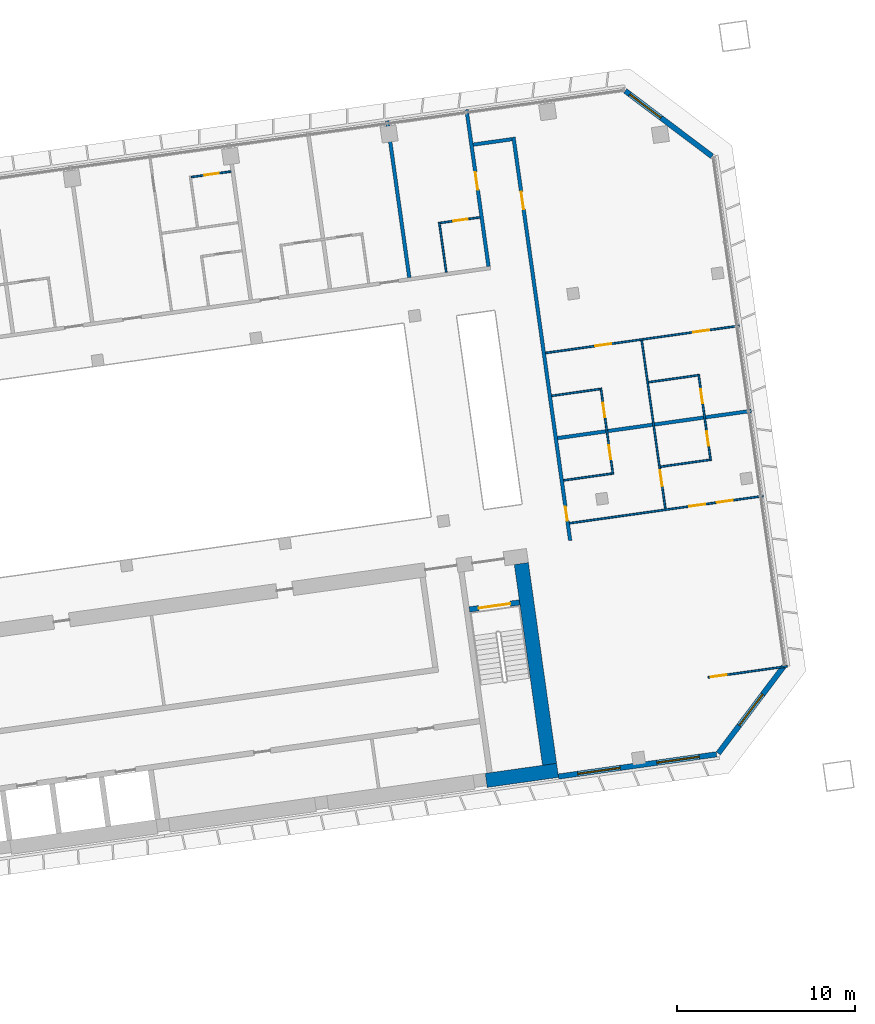
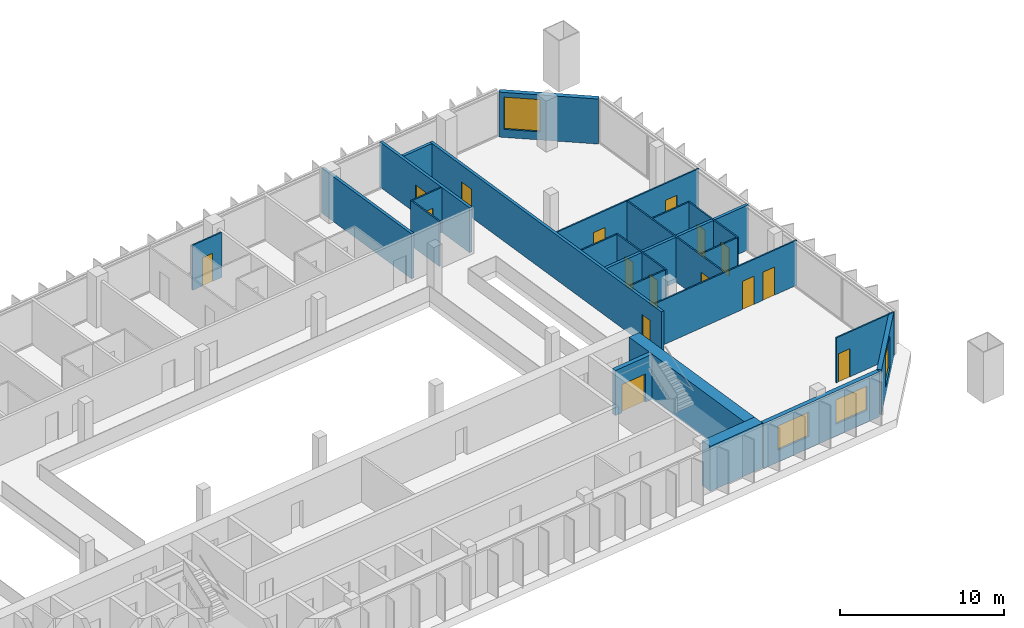
# One storey, part 21 of 25: 24 walls, 16 doors, 4 windows, 20 openings.
"""IFC4 building model written with IfcOpenShell, lengths in metres."""

import ifcopenshell
import ifcopenshell.guid

model = None  # the IFC model being written
_history = None  # IfcOwnerHistory: only IFC2X3 demands one
_inside = {}  # id of a spatial element -> (the spatial element, [elements in it])
_under = {}  # id of a project, library or spatial element -> (it, [spatial elements below it])
_declared = {}  # id of a project -> (the project, [libraries it declares])
_typed = {}  # id of a type object -> (the type object, [elements of that type])
_made_of = {}  # id of a material, layer set ... -> (it, [elements and type objects made of it])


def new_model(schema):
    """Start an empty IFC model of exactly this schema.

    Asked for "IFC4X3", IfcOpenShell would pick the latest addendum, in which some entities
    have other attributes; the version numbers below select the first issue.
    IFC2X3 requires an IfcOwnerHistory on every rooted entity: one is made here for all.
    """
    global model, _history
    if schema == "IFC4X3":
        model = ifcopenshell.file(schema_version=(4, 3, 0, 0))
    else:
        model = ifcopenshell.file(schema=schema)
    _inside.clear()
    _under.clear()
    _declared.clear()
    _typed.clear()
    _made_of.clear()
    _history = None
    if model.schema == "IFC2X3":
        org = make("IfcOrganization", Name="unknown")
        user = make(
            "IfcPersonAndOrganization",
            ThePerson=make("IfcPerson", FamilyName="unknown"),
            TheOrganization=org,
        )
        app = make(
            "IfcApplication",
            ApplicationDeveloper=org,
            Version="unknown",
            ApplicationFullName="unknown",
            ApplicationIdentifier="unknown",
        )
        _history = make(
            "IfcOwnerHistory",
            OwningUser=user,
            OwningApplication=app,
            ChangeAction="ADDED",
            CreationDate=0,
        )
    return model


def make(cls, **values):
    """One entity of the class cls with the attributes given. An attribute that is None is left unset."""
    return model.create_entity(
        cls, **{name: value for name, value in values.items() if value is not None}
    )


def rooted(cls, **values):
    """An entity with a GlobalId (a new one), such as an element, a storey or a relation."""
    return make(cls, GlobalId=ifcopenshell.guid.new(), OwnerHistory=_history, **values)


def si_unit(unit_type, name, prefix=None):
    """IfcSIUnit, for example si_unit("LENGTHUNIT", "METRE", prefix="MILLI")."""
    return make("IfcSIUnit", UnitType=unit_type, Prefix=prefix, Name=name)


def assignment(units):
    """IfcUnitAssignment: the units of a project."""
    return None if units is None else make("IfcUnitAssignment", Units=units)


def point(xyz):
    """IfcCartesianPoint."""
    return None if xyz is None else make("IfcCartesianPoint", Coordinates=xyz)


def direction(xyz):
    """IfcDirection."""
    return None if xyz is None else make("IfcDirection", DirectionRatios=xyz)


def frame(location, z_axis=None, x_axis=None):
    """IfcAxis2Placement3D, a coordinate frame: its origin and axes. An axis left out is left unset."""
    return make(
        "IfcAxis2Placement3D",
        Location=point(location),
        Axis=direction(z_axis),
        RefDirection=direction(x_axis),
    )


def frame_2d(location, x_axis=None):
    """IfcAxis2Placement2D, a coordinate frame in the plane: its origin and x axis."""
    return make(
        "IfcAxis2Placement2D", Location=point(location), RefDirection=direction(x_axis)
    )


def origin():
    """The frame at (0, 0, 0) with its axes left unset."""
    return frame((0.0, 0.0, 0.0))


def place(relative_to, where):
    """IfcLocalPlacement: puts the frame where relative to a parent placement (None: the world)."""
    return make(
        "IfcLocalPlacement", PlacementRelTo=relative_to, RelativePlacement=where
    )


def context(
    kind, dimensions, precision=None, world=None, true_north=None, identifier=None
):
    """IfcGeometricRepresentationContext, for example the 3D "Model" context."""
    return make(
        "IfcGeometricRepresentationContext",
        ContextIdentifier=identifier,
        ContextType=kind,
        CoordinateSpaceDimension=dimensions,
        Precision=precision,
        WorldCoordinateSystem=world,
        TrueNorth=true_north,
    )


def subcontext(parent, identifier, kind, view, scale=None):
    """IfcGeometricRepresentationSubContext, for example "Body" below "Model"."""
    return make(
        "IfcGeometricRepresentationSubContext",
        ContextIdentifier=identifier,
        ContextType=kind,
        ParentContext=parent,
        TargetScale=scale,
        TargetView=view,
    )


def project(units=None, contexts=None):
    """IfcProject with its units and contexts."""
    return rooted(
        "IfcProject",
        Name="project",
        RepresentationContexts=contexts,
        UnitsInContext=assignment(units),
    )


def spatial(cls, under=None, at=None, **own):
    """A site, building, storey or space (cls), placed at a placement, below another one or the project."""
    s = rooted(cls, ObjectPlacement=at, **own)
    if under is not None:
        _under.setdefault(under.id(), (under, []))[1].append(s)
    return s


def profile(cls, at=None, kind="AREA", **sizes):
    """A parametric profile (cls). Its sizes go by their IFC names, for example OverallWidth=200.0."""
    return make(cls, ProfileType=kind, Position=at, **sizes)


def rectangle(**sizes):
    """IfcRectangleProfileDef."""
    return profile("IfcRectangleProfileDef", **sizes)


def extrude(swept, where, along, depth):
    """IfcExtrudedAreaSolid: the profile swept, set in the frame where, extruded along a direction by depth."""
    return make(
        "IfcExtrudedAreaSolid",
        SweptArea=swept,
        Position=where,
        ExtrudedDirection=direction(along),
        Depth=depth,
    )


def shape(context_of_items, identifier, shape_type, items):
    """IfcShapeRepresentation: the items that make up one representation, for example the "Body"."""
    return make(
        "IfcShapeRepresentation",
        ContextOfItems=context_of_items,
        RepresentationIdentifier=identifier,
        RepresentationType=shape_type,
        Items=items,
    )


def material(Name=None, Category=None):
    """IfcMaterial."""
    return make("IfcMaterial", Name=Name, Category=Category)


def layer(
    of_material, thickness, ventilated=None, Name=None, Category=None, Priority=None
):
    """IfcMaterialLayer: one layer of a wall or slab, of a material (None: an air gap)."""
    return make(
        "IfcMaterialLayer",
        Material=of_material,
        LayerThickness=thickness,
        IsVentilated=ventilated,
        Name=Name,
        Category=Category,
        Priority=Priority,
    )


def layer_set(layers, Name=None):
    """IfcMaterialLayerSet."""
    return make("IfcMaterialLayerSet", MaterialLayers=layers, LayerSetName=Name)


def made_of(thing, what):
    """Note that an element or type object is made of a material, layer set ...; save() writes the relation."""
    if what is not None:
        _made_of.setdefault(what.id(), (what, []))[1].append(thing)
    return thing


def type_object(cls, material=None, **own):
    """A type object (cls), such as IfcWallType, which elements share."""
    return made_of(rooted(cls, **own), material)


def element(
    cls,
    number,
    at=None,
    inside=None,
    cuts=None,
    type_object=None,
    material=None,
    context=None,
    identifier="Body",
    shape_type=None,
    held_by="IfcProductDefinitionShape",
    body=None,
    shapes=None,
    **own,
):
    """One element of the class cls, such as IfcWall. Its Tag is "e" and its number.

    at: its placement. inside: the storey or other place that contains it. cuts: it is an
    opening in that element (IfcRelVoidsElement). A single representation is given by context,
    identifier, shape_type and body (its items); several are given by shapes. held_by: the class
    of the entity that holds the representations. save() writes the other relations.
    """
    e = rooted(cls, Tag="e%d" % number, ObjectPlacement=at, **own)
    if body is not None:
        shapes = [shape(context, identifier, shape_type, body)]
    if shapes is not None:
        e.Representation = make(held_by, Representations=shapes)
    if inside is not None:
        _inside.setdefault(inside.id(), (inside, []))[1].append(e)
    if cuts is not None:
        rooted(
            "IfcRelVoidsElement", RelatingBuildingElement=cuts, RelatedOpeningElement=e
        )
    if type_object is not None:
        _typed.setdefault(type_object.id(), (type_object, []))[1].append(e)
    return made_of(e, material)


def fill(opening, filler):
    """IfcRelFillsElement: the door or window that sits in an opening."""
    return rooted(
        "IfcRelFillsElement",
        RelatingOpeningElement=opening,
        RelatedBuildingElement=filler,
    )


def aggregate(whole, parts):
    """IfcRelAggregates: a whole, such as a stair, and the parts it consists of."""
    return rooted("IfcRelAggregates", RelatingObject=whole, RelatedObjects=parts)


def save(model, path):
    """Write the relations noted so far, then the file.

    IfcRelAggregates (storeys below a building ...), IfcRelContainedInSpatialStructure (elements
    in a storey), IfcRelDefinesByType, IfcRelAssociatesMaterial and IfcRelDeclares: one each for
    every whole, place, type object, material and project.
    """
    for whole, parts in _under.values():
        aggregate(whole, parts)
    for where, things in _inside.values():
        rooted(
            "IfcRelContainedInSpatialStructure",
            RelatedElements=things,
            RelatingStructure=where,
        )
    for kind, things in _typed.values():
        rooted("IfcRelDefinesByType", RelatedObjects=things, RelatingType=kind)
    for what, things in _made_of.values():
        rooted("IfcRelAssociatesMaterial", RelatedObjects=things, RelatingMaterial=what)
    for by, libraries in _declared.values():
        rooted("IfcRelDeclares", RelatingContext=by, RelatedDefinitions=libraries)
    model.write(path)


model = new_model("IFC4")

# Units and contexts
model_context = context("Model", 3, precision=1e-05, world=origin(), true_north=direction((0.0, 1.0)))
body_context = subcontext(model_context, "Body", "Model", "MODEL_VIEW")
ifc_project = project(units=[si_unit("LENGTHUNIT", "METRE"), si_unit("AREAUNIT", "SQUARE_METRE"), si_unit("VOLUMEUNIT", "CUBIC_METRE"), si_unit("PLANEANGLEUNIT", "RADIAN"), si_unit("MASSUNIT", "GRAM", prefix="KILO")], contexts=[model_context])

# Site, building, storey
site_placement = place(None, origin())
site = spatial("IfcSite", under=ifc_project, at=site_placement, CompositionType="ELEMENT")
building_placement = place(site_placement, origin())
building = spatial("IfcBuilding", under=site, at=building_placement, Name="Mirante Cascada Hotel Towers", CompositionType="ELEMENT")
storey_placement = place(building_placement, frame((0.0, 0.0, 102.5)))
storey = spatial("IfcBuildingStorey", under=building, at=storey_placement, Name="L22", CompositionType="ELEMENT", Elevation=102.5)

# Walls
ifc_material_1 = material(Name="Fire-rated plasterboard on metal studs")
ifc_layer_1 = layer(ifc_material_1, 0.2)
ifc_layer_set_1 = layer_set([ifc_layer_1], Name="Compartment wall 200 EI 120")
wall_type_1 = type_object("IfcWallType", Name="Compartment wall 200 EI 120", PredefinedType="PARTITIONING", material=ifc_layer_set_1)
wall_1_placement = place(storey_placement, frame((90.4064, 6.4896, 0.0), z_axis=(0.0, 0.0, 1.0), x_axis=(0.990268, 0.1391733, 0.0)))
element("IfcWall", 1, at=wall_1_placement, inside=storey, type_object=wall_type_1, Name="Wall 2-L22-11", PredefinedType="PARTITIONING", context=body_context, shape_type="SweptSolid", body=[
    extrude(rectangle(XDim=11.0, YDim=0.2, at=frame_2d((5.5, 0.0))), origin(), (0.0, 0.0, 1.0), 3.35),
])
wall_2_placement = place(storey_placement, frame((85.6638, 22.9901, 0.0), z_axis=(0.0, 0.0, 1.0), x_axis=(0.990267, 0.139181, 0.0)))
element("IfcWall", 2, at=wall_2_placement, inside=storey, type_object=wall_type_1, Name="Wall 2-L22-29", PredefinedType="PARTITIONING", context=body_context, shape_type="SweptSolid", body=[
    extrude(rectangle(XDim=2.2, YDim=0.2, at=frame_2d((1.1, 0.0))), origin(), (0.0, 0.0, 1.0), 3.35),
])
wall_3_placement = place(storey_placement, frame((82.0688, 15.5171, 0.0), z_axis=(0.0, 0.0, 1.0), x_axis=(-0.13917, 0.9902685, 0.0)))
element("IfcWall", 3, at=wall_3_placement, inside=storey, type_object=wall_type_1, Name="Wall 2-L22-57", PredefinedType="PARTITIONING", context=body_context, shape_type="SweptSolid", body=[
    extrude(rectangle(XDim=8.8999, YDim=0.2, at=frame_2d((4.45, 0.0))), origin(), (0.0, 0.0, 1.0), 3.35),
])

# Wall, opening, door
wall_4_placement = place(storey_placement, frame((86.525, 16.1433, 0.0), z_axis=(0.0, 0.0, 1.0), x_axis=(-0.1391684, 0.9902687, 0.0)))
wall_4 = element("IfcWall", 4, at=wall_4_placement, inside=storey, type_object=wall_type_1, Name="Wall 2-L22-59", PredefinedType="PARTITIONING", context=body_context, shape_type="SweptSolid", body=[
    extrude(rectangle(XDim=8.9, YDim=0.2, at=frame_2d((4.45, 0.0))), origin(), (0.0, 0.0, 1.0), 3.35),
])
opening_1_placement = place(wall_4_placement, frame((4.35, 0.0, 0.0)))
opening_1 = element("IfcOpeningElement", 5, at=opening_1_placement, cuts=wall_4, Name="Opening D2-L22-36", PredefinedType="OPENING", context=body_context, shape_type="SweptSolid", body=[
    extrude(rectangle(XDim=1.0, YDim=2.1, at=frame_2d((0.5, 1.05))), frame((0.0, 0.1, 0.0), z_axis=(0.0, -1.0, 0.0), x_axis=(1.0, 0.0, 0.0)), (0.0, 0.0, 1.0), 0.2),
])
ifc_material_2 = material(Name="Fire-rated timber door leaf", Category="wood")
door_type_1 = type_object("IfcDoorType", Name="Entrance door DG1 1000x2100 EI 60", OperationType="SINGLE_SWING_LEFT", PredefinedType="DOOR", material=ifc_material_2)
door_1_placement = place(opening_1_placement, origin())
door_1 = element("IfcDoor", 6, at=door_1_placement, inside=storey, type_object=door_type_1, Name="Door D2-L22-36", OperationType="SINGLE_SWING_LEFT", OverallHeight=2.1, OverallWidth=1.0, PredefinedType="DOOR", context=body_context, shape_type="SweptSolid", body=[
    extrude(rectangle(XDim=1.0, YDim=2.1, at=frame_2d((0.5, 1.05))), frame((0.0, 0.025, 0.0), z_axis=(0.0, -1.0, 0.0), x_axis=(1.0, 0.0, 0.0)), (0.0, 0.0, 1.0), 0.05),
])
fill(opening_1, door_1)

# Wall, openings, doors
wall_5_placement = place(storey_placement, frame((87.9275, 23.4092, 0.0), z_axis=(0.0, 0.0, 1.0), x_axis=(0.1391706, -0.9902684, 0.0)))
wall_5 = element("IfcWall", 7, at=wall_5_placement, inside=storey, type_object=wall_type_1, Name="Wall 2-L22-60", PredefinedType="PARTITIONING", context=body_context, shape_type="SweptSolid", body=[
    extrude(rectangle(XDim=22.9, YDim=0.2, at=frame_2d((11.45, 0.0))), origin(), (0.0, 0.0, 1.0), 3.35),
])
opening_2_placement = place(wall_5_placement, frame((20.9833, 0.0, 0.0)))
opening_2 = element("IfcOpeningElement", 8, at=opening_2_placement, cuts=wall_5, Name="Opening D2-L22-37", PredefinedType="OPENING", context=body_context, shape_type="SweptSolid", body=[
    extrude(rectangle(XDim=0.8, YDim=2.1, at=frame_2d((0.4, 1.05))), frame((0.0, 0.1, 0.0), z_axis=(0.0, -1.0, 0.0), x_axis=(1.0, 0.0, 0.0)), (0.0, 0.0, 1.0), 0.2),
])
opening_3_placement = place(wall_5_placement, frame((3.1, 0.0, 0.0)))
opening_3 = element("IfcOpeningElement", 9, at=opening_3_placement, cuts=wall_5, Name="Opening D2-L22-38", PredefinedType="OPENING", context=body_context, shape_type="SweptSolid", body=[
    extrude(rectangle(XDim=1.0, YDim=2.1, at=frame_2d((0.5, 1.05))), frame((0.0, 0.1, 0.0), z_axis=(0.0, -1.0, 0.0), x_axis=(1.0, 0.0, 0.0)), (0.0, 0.0, 1.0), 0.2),
])
ifc_material_3 = material(Name="Fire-rated timber door leaf", Category="wood")
door_type_2 = type_object("IfcDoorType", Name="Bathroom door DG4 800x2100 EI 60", OperationType="SINGLE_SWING_LEFT", PredefinedType="DOOR", material=ifc_material_3)
door_2_placement = place(opening_2_placement, origin())
door_2 = element("IfcDoor", 10, at=door_2_placement, inside=storey, type_object=door_type_2, Name="Door D2-L22-37", OperationType="SINGLE_SWING_LEFT", OverallHeight=2.1, OverallWidth=0.8, PredefinedType="DOOR", context=body_context, shape_type="SweptSolid", body=[
    extrude(rectangle(XDim=0.8, YDim=2.1, at=frame_2d((0.4, 1.05))), frame((0.0, 0.025, 0.0), z_axis=(0.0, -1.0, 0.0), x_axis=(1.0, 0.0, 0.0)), (0.0, 0.0, 1.0), 0.05),
])
fill(opening_2, door_2)
door_3_placement = place(opening_3_placement, origin())
door_3 = element("IfcDoor", 11, at=door_3_placement, inside=storey, type_object=door_type_1, Name="Door D2-L22-38", OperationType="SINGLE_SWING_LEFT", OverallHeight=2.1, OverallWidth=1.0, PredefinedType="DOOR", context=body_context, shape_type="SweptSolid", body=[
    extrude(rectangle(XDim=1.0, YDim=2.1, at=frame_2d((0.5, 1.05))), frame((0.0, 0.025, 0.0), z_axis=(0.0, -1.0, 0.0), x_axis=(1.0, 0.0, 0.0)), (0.0, 0.0, 1.0), 0.05),
])
fill(opening_3, door_3)

# Wall, opening, door
ifc_material_4 = material(Name="Plasterboard on metal studs")
ifc_layer_2 = layer(ifc_material_4, 0.1)
ifc_layer_set_2 = layer_set([ifc_layer_2], Name="Partition 100")
wall_type_2 = type_object("IfcWallType", Name="Partition 100", PredefinedType="PARTITIONING", material=ifc_layer_set_2)
wall_6_placement = place(storey_placement, frame((98.8611, -6.9647, 0.0), z_axis=(0.0, 0.0, 1.0), x_axis=(0.9902674, 0.1391779, 0.0)))
wall_6 = element("IfcWall", 12, at=wall_6_placement, inside=storey, type_object=wall_type_2, Name="Wall 2-L22-01", PredefinedType="PARTITIONING", context=body_context, shape_type="SweptSolid", body=[
    extrude(rectangle(XDim=4.5, YDim=0.1, at=frame_2d((2.25, 0.0))), origin(), (0.0, 0.0, 1.0), 3.35),
])
opening_4_placement = place(wall_6_placement, frame((0.15, 0.0, 0.0)))
opening_4 = element("IfcOpeningElement", 13, at=opening_4_placement, cuts=wall_6, Name="Opening D2-L22-01", PredefinedType="OPENING", context=body_context, shape_type="SweptSolid", body=[
    extrude(rectangle(XDim=0.9, YDim=2.1, at=frame_2d((0.45, 1.05))), frame((0.0, 0.05, 0.0), z_axis=(0.0, -1.0, 0.0), x_axis=(1.0, 0.0, 0.0)), (0.0, 0.0, 1.0), 0.1),
])
ifc_material_5 = material(Name="Timber door leaf", Category="wood")
door_type_3 = type_object("IfcDoorType", Name="Room door DG3 900x2100", OperationType="SINGLE_SWING_LEFT", PredefinedType="DOOR", material=ifc_material_5)
door_4_placement = place(opening_4_placement, origin())
door_4 = element("IfcDoor", 14, at=door_4_placement, inside=storey, type_object=door_type_3, Name="Door D2-L22-01", OperationType="SINGLE_SWING_LEFT", OverallHeight=2.1, OverallWidth=0.9, PredefinedType="DOOR", context=body_context, shape_type="SweptSolid", body=[
    extrude(rectangle(XDim=0.9, YDim=2.1, at=frame_2d((0.45, 1.05))), frame((0.0, 0.025, 0.0), z_axis=(0.0, -1.0, 0.0), x_axis=(1.0, 0.0, 0.0)), (0.0, 0.0, 1.0), 0.05),
])
fill(opening_4, door_4)

# Wall, openings, doors
wall_7_placement = place(storey_placement, frame((91.079, 1.7033, 0.0), z_axis=(0.0, 0.0, 1.0), x_axis=(0.9902682, 0.1391721, 0.0)))
wall_7 = element("IfcWall", 15, at=wall_7_placement, inside=storey, type_object=wall_type_2, Name="Wall 2-L22-05", PredefinedType="PARTITIONING", context=body_context, shape_type="SweptSolid", body=[
    extrude(rectangle(XDim=11.0001, YDim=0.1, at=frame_2d((5.5, 0.0))), origin(), (0.0, 0.0, 1.0), 3.35),
])
opening_5_placement = place(wall_7_placement, frame((6.8, 0.0, 0.0)))
opening_5 = element("IfcOpeningElement", 16, at=opening_5_placement, cuts=wall_7, Name="Opening D2-L22-03", PredefinedType="OPENING", context=body_context, shape_type="SweptSolid", body=[
    extrude(rectangle(XDim=0.9, YDim=2.1, at=frame_2d((0.45, 1.05))), frame((0.0, 0.05, 0.0), z_axis=(0.0, -1.0, 0.0), x_axis=(1.0, 0.0, 0.0)), (0.0, 0.0, 1.0), 0.1),
])
opening_6_placement = place(wall_7_placement, frame((8.375, 0.0, 0.0)))
opening_6 = element("IfcOpeningElement", 17, at=opening_6_placement, cuts=wall_7, Name="Opening D2-L22-04", PredefinedType="OPENING", context=body_context, shape_type="SweptSolid", body=[
    extrude(rectangle(XDim=0.9, YDim=2.1, at=frame_2d((0.45, 1.05))), frame((0.0, 0.05, 0.0), z_axis=(0.0, -1.0, 0.0), x_axis=(1.0, 0.0, 0.0)), (0.0, 0.0, 1.0), 0.1),
])
door_5_placement = place(opening_5_placement, frame((0.9, 0.0, 0.0), z_axis=(0.0, 0.0, 1.0), x_axis=(-1.0, 0.0, 0.0)))
door_5 = element("IfcDoor", 18, at=door_5_placement, inside=storey, type_object=door_type_3, Name="Door D2-L22-03", OperationType="SINGLE_SWING_RIGHT", OverallHeight=2.1, OverallWidth=0.9, PredefinedType="DOOR", context=body_context, shape_type="SweptSolid", body=[
    extrude(rectangle(XDim=0.9, YDim=2.1, at=frame_2d((0.45, 1.05))), frame((0.0, 0.025, 0.0), z_axis=(0.0, -1.0, 0.0), x_axis=(1.0, 0.0, 0.0)), (0.0, 0.0, 1.0), 0.05),
])
fill(opening_5, door_5)
door_6_placement = place(opening_6_placement, frame((0.9, 0.0, 0.0), z_axis=(0.0, 0.0, 1.0), x_axis=(-1.0, 0.0, 0.0)))
door_6 = element("IfcDoor", 19, at=door_6_placement, inside=storey, type_object=door_type_3, Name="Door D2-L22-04", OperationType="SINGLE_SWING_RIGHT", OverallHeight=2.1, OverallWidth=0.9, PredefinedType="DOOR", context=body_context, shape_type="SweptSolid", body=[
    extrude(rectangle(XDim=0.9, YDim=2.1, at=frame_2d((0.45, 1.05))), frame((0.0, 0.025, 0.0), z_axis=(0.0, -1.0, 0.0), x_axis=(1.0, 0.0, 0.0)), (0.0, 0.0, 1.0), 0.05),
])
fill(opening_6, door_6)

# Walls
wall_8_placement = place(storey_placement, frame((93.4636, 4.4956, 0.0), z_axis=(0.0, 0.0, 1.0), x_axis=(-0.9902691, -0.1391657, 0.0)))
element("IfcWall", 20, at=wall_8_placement, inside=storey, type_object=wall_type_2, Name="Wall 2-L22-06", PredefinedType="PARTITIONING", context=body_context, shape_type="SweptSolid", body=[
    extrude(rectangle(XDim=2.75, YDim=0.1, at=frame_2d((1.375, 0.0))), origin(), (0.0, 0.0, 1.0), 3.35),
])
wall_9_placement = place(storey_placement, frame((96.1868, 4.8784, 0.0), z_axis=(0.0, 0.0, 1.0), x_axis=(0.9902677, 0.139176, 0.0)))
element("IfcWall", 21, at=wall_9_placement, inside=storey, type_object=wall_type_2, Name="Wall 2-L22-07", PredefinedType="PARTITIONING", context=body_context, shape_type="SweptSolid", body=[
    extrude(rectangle(XDim=2.8001, YDim=0.1, at=frame_2d((1.4, 0.0))), origin(), (0.0, 0.0, 1.0), 3.35),
])
wall_10_placement = place(storey_placement, frame((92.7956, 9.2489, 0.0), z_axis=(0.0, 0.0, 1.0), x_axis=(-0.9902698, -0.1391607, 0.0)))
element("IfcWall", 22, at=wall_10_placement, inside=storey, type_object=wall_type_2, Name="Wall 2-L22-14", PredefinedType="PARTITIONING", context=body_context, shape_type="SweptSolid", body=[
    extrude(rectangle(XDim=2.7501, YDim=0.1, at=frame_2d((1.3751, 0.0))), origin(), (0.0, 0.0, 1.0), 3.35),
])
wall_11_placement = place(storey_placement, frame((95.5188, 9.6317, 0.0), z_axis=(0.0, 0.0, 1.0), x_axis=(0.9902726, 0.139141, 0.0)))
element("IfcWall", 23, at=wall_11_placement, inside=storey, type_object=wall_type_2, Name="Wall 2-L22-15", PredefinedType="PARTITIONING", context=body_context, shape_type="SweptSolid", body=[
    extrude(rectangle(XDim=2.8, YDim=0.1, at=frame_2d((1.4, 0.0))), origin(), (0.0, 0.0, 1.0), 3.35),
])

# Wall, openings, doors
wall_12_placement = place(storey_placement, frame((89.7337, 11.2758, 0.0), z_axis=(0.0, 0.0, 1.0), x_axis=(0.990268, 0.1391733, 0.0)))
wall_12 = element("IfcWall", 24, at=wall_12_placement, inside=storey, type_object=wall_type_2, Name="Wall 2-L22-17", PredefinedType="PARTITIONING", context=body_context, shape_type="SweptSolid", body=[
    extrude(rectangle(XDim=11.0, YDim=0.1, at=frame_2d((5.5, 0.0))), origin(), (0.0, 0.0, 1.0), 3.35),
])
opening_7_placement = place(wall_12_placement, frame((2.825, 0.0, 0.0)))
opening_7 = element("IfcOpeningElement", 25, at=opening_7_placement, cuts=wall_12, Name="Opening D2-L22-07", PredefinedType="OPENING", context=body_context, shape_type="SweptSolid", body=[
    extrude(rectangle(XDim=0.9, YDim=2.1, at=frame_2d((0.45, 1.05))), frame((0.0, 0.05, 0.0), z_axis=(0.0, -1.0, 0.0), x_axis=(1.0, 0.0, 0.0)), (0.0, 0.0, 1.0), 0.1),
])
opening_8_placement = place(wall_12_placement, frame((8.375, 0.0, 0.0)))
opening_8 = element("IfcOpeningElement", 26, at=opening_8_placement, cuts=wall_12, Name="Opening D2-L22-08", PredefinedType="OPENING", context=body_context, shape_type="SweptSolid", body=[
    extrude(rectangle(XDim=0.9, YDim=2.1, at=frame_2d((0.45, 1.05))), frame((0.0, 0.05, 0.0), z_axis=(0.0, -1.0, 0.0), x_axis=(1.0, 0.0, 0.0)), (0.0, 0.0, 1.0), 0.1),
])
door_7_placement = place(opening_7_placement, origin())
door_7 = element("IfcDoor", 27, at=door_7_placement, inside=storey, type_object=door_type_3, Name="Door D2-L22-07", OperationType="SINGLE_SWING_LEFT", OverallHeight=2.1, OverallWidth=0.9, PredefinedType="DOOR", context=body_context, shape_type="SweptSolid", body=[
    extrude(rectangle(XDim=0.9, YDim=2.1, at=frame_2d((0.45, 1.05))), frame((0.0, 0.025, 0.0), z_axis=(0.0, -1.0, 0.0), x_axis=(1.0, 0.0, 0.0)), (0.0, 0.0, 1.0), 0.05),
])
fill(opening_7, door_7)
door_8_placement = place(opening_8_placement, origin())
door_8 = element("IfcDoor", 28, at=door_8_placement, inside=storey, type_object=door_type_3, Name="Door D2-L22-08", OperationType="SINGLE_SWING_LEFT", OverallHeight=2.1, OverallWidth=0.9, PredefinedType="DOOR", context=body_context, shape_type="SweptSolid", body=[
    extrude(rectangle(XDim=0.9, YDim=2.1, at=frame_2d((0.45, 1.05))), frame((0.0, 0.025, 0.0), z_axis=(0.0, -1.0, 0.0), x_axis=(1.0, 0.0, 0.0)), (0.0, 0.0, 1.0), 0.05),
])
fill(opening_8, door_8)

# Wall, opening, door
wall_13_placement = place(storey_placement, frame((86.0363, 18.9022, 0.0), z_axis=(0.0, 0.0, 1.0), x_axis=(-0.9902643, -0.1391997, 0.0)))
wall_13 = element("IfcWall", 29, at=wall_13_placement, inside=storey, type_object=wall_type_2, Name="Wall 2-L22-24", PredefinedType="PARTITIONING", context=body_context, shape_type="SweptSolid", body=[
    extrude(rectangle(XDim=2.25, YDim=0.1, at=frame_2d((1.125, 0.0))), origin(), (0.0, 0.0, 1.0), 3.35),
])
opening_9_placement = place(wall_13_placement, frame((0.7, 0.0, 0.0)))
opening_9 = element("IfcOpeningElement", 30, at=opening_9_placement, cuts=wall_13, Name="Opening D2-L22-23", PredefinedType="OPENING", context=body_context, shape_type="SweptSolid", body=[
    extrude(rectangle(XDim=0.8, YDim=2.1, at=frame_2d((0.4, 1.05))), frame((0.0, 0.05, 0.0), z_axis=(0.0, -1.0, 0.0), x_axis=(1.0, 0.0, 0.0)), (0.0, 0.0, 1.0), 0.1),
])
ifc_material_6 = material(Name="Timber door leaf", Category="wood")
door_type_4 = type_object("IfcDoorType", Name="Bathroom door DG4 800x2100", OperationType="SINGLE_SWING_LEFT", PredefinedType="DOOR", material=ifc_material_6)
door_9_placement = place(opening_9_placement, frame((0.8, 0.0, 0.0), z_axis=(0.0, 0.0, 1.0), x_axis=(-1.0, 0.0, 0.0)))
door_9 = element("IfcDoor", 31, at=door_9_placement, inside=storey, type_object=door_type_4, Name="Door D2-L22-23", OperationType="SINGLE_SWING_RIGHT", OverallHeight=2.1, OverallWidth=0.8, PredefinedType="DOOR", context=body_context, shape_type="SweptSolid", body=[
    extrude(rectangle(XDim=0.8, YDim=2.1, at=frame_2d((0.4, 1.05))), frame((0.0, 0.025, 0.0), z_axis=(0.0, -1.0, 0.0), x_axis=(1.0, 0.0, 0.0)), (0.0, 0.0, 1.0), 0.05),
])
fill(opening_9, door_9)

wall_14_placement = place(storey_placement, frame((69.8133, 21.1664, 0.0), z_axis=(0.0, 0.0, 1.0), x_axis=(0.9902705, 0.1391561, 0.0)))
wall_14 = element("IfcWall", 32, at=wall_14_placement, inside=storey, type_object=wall_type_2, Name="Wall 2-L22-31", PredefinedType="PARTITIONING", context=body_context, shape_type="SweptSolid", body=[
    extrude(rectangle(XDim=2.25, YDim=0.1, at=frame_2d((1.125, 0.0))), origin(), (0.0, 0.0, 1.0), 3.35),
])
opening_10_placement = place(wall_14_placement, frame((0.75, 0.0, 0.0)))
opening_10 = element("IfcOpeningElement", 33, at=opening_10_placement, cuts=wall_14, Name="Opening D2-L22-25", PredefinedType="OPENING", context=body_context, shape_type="SweptSolid", body=[
    extrude(rectangle(XDim=0.8, YDim=2.1, at=frame_2d((0.4, 1.05))), frame((0.0, 0.05, 0.0), z_axis=(0.0, -1.0, 0.0), x_axis=(1.0, 0.0, 0.0)), (0.0, 0.0, 1.0), 0.1),
])
door_10_placement = place(opening_10_placement, frame((0.8, 0.0, 0.0), z_axis=(0.0, 0.0, 1.0), x_axis=(-1.0, 0.0, 0.0)))
door_10 = element("IfcDoor", 34, at=door_10_placement, inside=storey, type_object=door_type_4, Name="Door D2-L22-25", OperationType="SINGLE_SWING_RIGHT", OverallHeight=2.1, OverallWidth=0.8, PredefinedType="DOOR", context=body_context, shape_type="SweptSolid", body=[
    extrude(rectangle(XDim=0.8, YDim=2.1, at=frame_2d((0.4, 1.05))), frame((0.0, 0.025, 0.0), z_axis=(0.0, -1.0, 0.0), x_axis=(1.0, 0.0, 0.0)), (0.0, 0.0, 1.0), 0.05),
])
fill(opening_10, door_10)

# Wall
wall_15_placement = place(storey_placement, frame((83.7517, 18.6316, 0.0), z_axis=(0.0, 0.0, 1.0), x_axis=(0.1391909, -0.9902656, 0.0)))
element("IfcWall", 35, at=wall_15_placement, inside=storey, type_object=wall_type_2, Name="Wall 2-L22-58", PredefinedType="PARTITIONING", context=body_context, shape_type="SweptSolid", body=[
    extrude(rectangle(XDim=2.85, YDim=0.1, at=frame_2d((1.425, 0.0))), origin(), (0.0, 0.0, 1.0), 3.35),
])

# Wall, openings, doors
wall_16_placement = place(storey_placement, frame((93.5201, 4.4531, 0.0), z_axis=(0.0, 0.0, 1.0), x_axis=(-0.1391838, 0.9902666, 0.0)))
wall_16 = element("IfcWall", 36, at=wall_16_placement, inside=storey, type_object=wall_type_2, Name="Wall 2-L22-61", PredefinedType="PARTITIONING", context=body_context, shape_type="SweptSolid", body=[
    extrude(rectangle(XDim=4.9, YDim=0.1, at=frame_2d((2.45, 0.0))), origin(), (0.0, 0.0, 1.0), 3.35),
])
opening_11_placement = place(wall_16_placement, frame((0.85, 0.0, 0.0)))
opening_11 = element("IfcOpeningElement", 37, at=opening_11_placement, cuts=wall_16, Name="Opening D2-L22-39", PredefinedType="OPENING", context=body_context, shape_type="SweptSolid", body=[
    extrude(rectangle(XDim=0.8, YDim=2.1, at=frame_2d((0.4, 1.05))), frame((0.0, 0.05, 0.0), z_axis=(0.0, -1.0, 0.0), x_axis=(1.0, 0.0, 0.0)), (0.0, 0.0, 1.0), 0.1),
])
opening_12_placement = place(wall_16_placement, frame((3.25, 0.0, 0.0)))
opening_12 = element("IfcOpeningElement", 38, at=opening_12_placement, cuts=wall_16, Name="Opening D2-L22-40", PredefinedType="OPENING", context=body_context, shape_type="SweptSolid", body=[
    extrude(rectangle(XDim=0.8, YDim=2.1, at=frame_2d((0.4, 1.05))), frame((0.0, 0.05, 0.0), z_axis=(0.0, -1.0, 0.0), x_axis=(1.0, 0.0, 0.0)), (0.0, 0.0, 1.0), 0.1),
])
door_11_placement = place(opening_11_placement, origin())
door_11 = element("IfcDoor", 39, at=door_11_placement, inside=storey, type_object=door_type_4, Name="Door D2-L22-39", OperationType="SINGLE_SWING_LEFT", OverallHeight=2.1, OverallWidth=0.8, PredefinedType="DOOR", context=body_context, shape_type="SweptSolid", body=[
    extrude(rectangle(XDim=0.8, YDim=2.1, at=frame_2d((0.4, 1.05))), frame((0.0, 0.025, 0.0), z_axis=(0.0, -1.0, 0.0), x_axis=(1.0, 0.0, 0.0)), (0.0, 0.0, 1.0), 0.05),
])
fill(opening_11, door_11)
door_12_placement = place(opening_12_placement, origin())
door_12 = element("IfcDoor", 40, at=door_12_placement, inside=storey, type_object=door_type_4, Name="Door D2-L22-40", OperationType="SINGLE_SWING_LEFT", OverallHeight=2.1, OverallWidth=0.8, PredefinedType="DOOR", context=body_context, shape_type="SweptSolid", body=[
    extrude(rectangle(XDim=0.8, YDim=2.1, at=frame_2d((0.4, 1.05))), frame((0.0, 0.025, 0.0), z_axis=(0.0, -1.0, 0.0), x_axis=(1.0, 0.0, 0.0)), (0.0, 0.0, 1.0), 0.05),
])
fill(opening_12, door_12)

# Wall, opening, door
wall_17_placement = place(storey_placement, frame((95.1376, 11.9848, 0.0), z_axis=(0.0, 0.0, 1.0), x_axis=(0.1391717, -0.9902683, 0.0)))
wall_17 = element("IfcWall", 41, at=wall_17_placement, inside=storey, type_object=wall_type_2, Name="Wall 2-L22-62", PredefinedType="PARTITIONING", context=body_context, shape_type="SweptSolid", body=[
    extrude(rectangle(XDim=9.5666, YDim=0.1, at=frame_2d((4.7833, 0.0))), origin(), (0.0, 0.0, 1.0), 3.35),
])
opening_13_placement = place(wall_17_placement, frame((7.3666, 0.0, 0.0)))
opening_13 = element("IfcOpeningElement", 42, at=opening_13_placement, cuts=wall_17, Name="Opening D2-L22-41", PredefinedType="OPENING", context=body_context, shape_type="SweptSolid", body=[
    extrude(rectangle(XDim=0.9, YDim=2.1, at=frame_2d((0.45, 1.05))), frame((0.0, 0.05, 0.0), z_axis=(0.0, -1.0, 0.0), x_axis=(1.0, 0.0, 0.0)), (0.0, 0.0, 1.0), 0.1),
])
door_13_placement = place(opening_13_placement, frame((0.9, 0.0, 0.0), z_axis=(0.0, 0.0, 1.0), x_axis=(-1.0, 0.0, 0.0)))
door_13 = element("IfcDoor", 43, at=door_13_placement, inside=storey, type_object=door_type_3, Name="Door D2-L22-41", OperationType="SINGLE_SWING_RIGHT", OverallHeight=2.1, OverallWidth=0.9, PredefinedType="DOOR", context=body_context, shape_type="SweptSolid", body=[
    extrude(rectangle(XDim=0.9, YDim=2.1, at=frame_2d((0.45, 1.05))), frame((0.0, 0.025, 0.0), z_axis=(0.0, -1.0, 0.0), x_axis=(1.0, 0.0, 0.0)), (0.0, 0.0, 1.0), 0.05),
])
fill(opening_13, door_13)

# Wall, openings, doors
wall_18_placement = place(storey_placement, frame((99.0161, 5.2255, 0.0), z_axis=(0.0, 0.0, 1.0), x_axis=(-0.1391838, 0.9902666, 0.0)))
wall_18 = element("IfcWall", 44, at=wall_18_placement, inside=storey, type_object=wall_type_2, Name="Wall 2-L22-63", PredefinedType="PARTITIONING", context=body_context, shape_type="SweptSolid", body=[
    extrude(rectangle(XDim=4.9, YDim=0.1, at=frame_2d((2.45, 0.0))), origin(), (0.0, 0.0, 1.0), 3.35),
])
opening_14_placement = place(wall_18_placement, frame((0.85, 0.0, 0.0)))
opening_14 = element("IfcOpeningElement", 45, at=opening_14_placement, cuts=wall_18, Name="Opening D2-L22-42", PredefinedType="OPENING", context=body_context, shape_type="SweptSolid", body=[
    extrude(rectangle(XDim=0.8, YDim=2.1, at=frame_2d((0.4, 1.05))), frame((0.0, 0.05, 0.0), z_axis=(0.0, -1.0, 0.0), x_axis=(1.0, 0.0, 0.0)), (0.0, 0.0, 1.0), 0.1),
])
opening_15_placement = place(wall_18_placement, frame((3.25, 0.0, 0.0)))
opening_15 = element("IfcOpeningElement", 46, at=opening_15_placement, cuts=wall_18, Name="Opening D2-L22-43", PredefinedType="OPENING", context=body_context, shape_type="SweptSolid", body=[
    extrude(rectangle(XDim=0.8, YDim=2.1, at=frame_2d((0.4, 1.05))), frame((0.0, 0.05, 0.0), z_axis=(0.0, -1.0, 0.0), x_axis=(1.0, 0.0, 0.0)), (0.0, 0.0, 1.0), 0.1),
])
door_14_placement = place(opening_14_placement, origin())
door_14 = element("IfcDoor", 47, at=door_14_placement, inside=storey, type_object=door_type_4, Name="Door D2-L22-42", OperationType="SINGLE_SWING_LEFT", OverallHeight=2.1, OverallWidth=0.8, PredefinedType="DOOR", context=body_context, shape_type="SweptSolid", body=[
    extrude(rectangle(XDim=0.8, YDim=2.1, at=frame_2d((0.4, 1.05))), frame((0.0, 0.025, 0.0), z_axis=(0.0, -1.0, 0.0), x_axis=(1.0, 0.0, 0.0)), (0.0, 0.0, 1.0), 0.05),
])
fill(opening_14, door_14)
door_15_placement = place(opening_15_placement, origin())
door_15 = element("IfcDoor", 48, at=door_15_placement, inside=storey, type_object=door_type_4, Name="Door D2-L22-43", OperationType="SINGLE_SWING_LEFT", OverallHeight=2.1, OverallWidth=0.8, PredefinedType="DOOR", context=body_context, shape_type="SweptSolid", body=[
    extrude(rectangle(XDim=0.8, YDim=2.1, at=frame_2d((0.4, 1.05))), frame((0.0, 0.025, 0.0), z_axis=(0.0, -1.0, 0.0), x_axis=(1.0, 0.0, 0.0)), (0.0, 0.0, 1.0), 0.05),
])
fill(opening_15, door_15)

# Wall, openings, windows
ifc_material_7 = material(Name="Precast concrete C40/50", Category="concrete")
ifc_layer_3 = layer(ifc_material_7, 0.3)
ifc_layer_set_3 = layer_set([ifc_layer_3], Name="Precast concrete C40/50 cladding wall 300")
wall_type_3 = type_object("IfcWallType", Name="Precast concrete C40/50 cladding wall 300", PredefinedType="STANDARD", material=ifc_layer_set_3)
wall_19_placement = place(storey_placement, frame((90.4551, -12.5388, 0.0), z_axis=(0.0, 0.0, 1.0), x_axis=(0.990268, 0.1391734, 0.0)))
wall_19 = element("IfcWall", 49, at=wall_19_placement, inside=storey, type_object=wall_type_3, Name="Rear cladding wall T2 L22 1", PredefinedType="STANDARD", context=body_context, shape_type="SweptSolid", body=[
    extrude(rectangle(XDim=8.9759, YDim=0.3, at=frame_2d((4.488, 0.0))), origin(), (0.0, 0.0, 1.0), 3.35),
])
opening_16_placement = place(wall_19_placement, frame((1.1012, 0.0, 0.9)))
opening_16 = element("IfcOpeningElement", 50, at=opening_16_placement, cuts=wall_19, Name="Opening W2-22-01", PredefinedType="OPENING", context=body_context, shape_type="SweptSolid", body=[
    extrude(rectangle(XDim=2.4, YDim=1.8, at=frame_2d((1.2, 0.9))), frame((0.0, 0.15, 0.0), z_axis=(0.0, -1.0, 0.0), x_axis=(1.0, 0.0, 0.0)), (0.0, 0.0, 1.0), 0.3),
])
opening_17_placement = place(wall_19_placement, frame((5.5923, 0.0, 0.9)))
opening_17 = element("IfcOpeningElement", 51, at=opening_17_placement, cuts=wall_19, Name="Opening W2-22-02", PredefinedType="OPENING", context=body_context, shape_type="SweptSolid", body=[
    extrude(rectangle(XDim=2.4, YDim=1.8, at=frame_2d((1.2, 0.9))), frame((0.0, 0.15, 0.0), z_axis=(0.0, -1.0, 0.0), x_axis=(1.0, 0.0, 0.0)), (0.0, 0.0, 1.0), 0.3),
])
ifc_material_8 = material(Name="Aluminium frame with clear double glazing", Category="aluminium")
window_type_1 = type_object("IfcWindowType", Name="Punched window 2400x1800", PartitioningType="DOUBLE_PANEL_VERTICAL", PredefinedType="WINDOW", material=ifc_material_8)
window_1_placement = place(opening_16_placement, origin())
window_1 = element("IfcWindow", 52, at=window_1_placement, inside=storey, type_object=window_type_1, Name="Window W2-22-01", OverallHeight=1.8, OverallWidth=2.4, PartitioningType="SINGLE_PANEL", PredefinedType="WINDOW", context=body_context, shape_type="SweptSolid", body=[
    extrude(rectangle(XDim=2.4, YDim=1.8, at=frame_2d((1.2, 0.9))), frame((0.0, 0.03, 0.0), z_axis=(0.0, -1.0, 0.0), x_axis=(1.0, 0.0, 0.0)), (0.0, 0.0, 1.0), 0.06),
])
fill(opening_16, window_1)
window_2_placement = place(opening_17_placement, origin())
window_2 = element("IfcWindow", 53, at=window_2_placement, inside=storey, type_object=window_type_1, Name="Window W2-22-02", OverallHeight=1.8, OverallWidth=2.4, PartitioningType="SINGLE_PANEL", PredefinedType="WINDOW", context=body_context, shape_type="SweptSolid", body=[
    extrude(rectangle(XDim=2.4, YDim=1.8, at=frame_2d((1.2, 0.9))), frame((0.0, 0.03, 0.0), z_axis=(0.0, -1.0, 0.0), x_axis=(1.0, 0.0, 0.0)), (0.0, 0.0, 1.0), 0.06),
])
fill(opening_17, window_2)

# Wall, opening, window
wall_20_placement = place(storey_placement, frame((99.4423, -11.2315, 0.0), z_axis=(0.0, 0.0, 1.0), x_axis=(0.6018141, 0.7986362, 0.0)))
wall_20 = element("IfcWall", 54, at=wall_20_placement, inside=storey, type_object=wall_type_3, Name="Corner cladding wall T2 L22 rear outer", PredefinedType="STANDARD", context=body_context, shape_type="SweptSolid", body=[
    extrude(rectangle(XDim=6.1157, YDim=0.3, at=frame_2d((3.0578, 0.0))), origin(), (0.0, 0.0, 1.0), 3.35),
])
opening_18_placement = place(wall_20_placement, frame((1.9578, 0.0, 0.6)))
opening_18 = element("IfcOpeningElement", 55, at=opening_18_placement, cuts=wall_20, Name="Opening W2-22-03", PredefinedType="OPENING", context=body_context, shape_type="SweptSolid", body=[
    extrude(rectangle(XDim=2.2, YDim=2.4, at=frame_2d((1.1, 1.2))), frame((0.0, 0.15, 0.0), z_axis=(0.0, -1.0, 0.0), x_axis=(1.0, 0.0, 0.0)), (0.0, 0.0, 1.0), 0.3),
])
ifc_material_9 = material(Name="Aluminium frame with clear double glazing", Category="aluminium")
window_type_2 = type_object("IfcWindowType", Name="Corner suite window 2200x2400", PartitioningType="DOUBLE_PANEL_VERTICAL", PredefinedType="WINDOW", material=ifc_material_9)
window_3_placement = place(opening_18_placement, origin())
window_3 = element("IfcWindow", 56, at=window_3_placement, inside=storey, type_object=window_type_2, Name="Window W2-22-03", OverallHeight=2.4, OverallWidth=2.2, PartitioningType="SINGLE_PANEL", PredefinedType="WINDOW", context=body_context, shape_type="SweptSolid", body=[
    extrude(rectangle(XDim=2.2, YDim=2.4, at=frame_2d((1.1, 1.2))), frame((0.0, 0.03, 0.0), z_axis=(0.0, -1.0, 0.0), x_axis=(1.0, 0.0, 0.0)), (0.0, 0.0, 1.0), 0.06),
])
fill(opening_18, window_3)

wall_21_placement = place(storey_placement, frame((99.0919, 22.3343, 0.0), z_axis=(0.0, 0.0, 1.0), x_axis=(-0.7986362, 0.6018141, 0.0)))
wall_21 = element("IfcWall", 57, at=wall_21_placement, inside=storey, type_object=wall_type_3, Name="Corner cladding wall T2 L22 outer front", PredefinedType="STANDARD", context=body_context, shape_type="SweptSolid", body=[
    extrude(rectangle(XDim=6.1157, YDim=0.3, at=frame_2d((3.0578, 0.0))), origin(), (0.0, 0.0, 1.0), 3.35),
])
opening_19_placement = place(wall_21_placement, frame((3.595, 0.0, 0.6)))
opening_19 = element("IfcOpeningElement", 58, at=opening_19_placement, cuts=wall_21, Name="Opening W2-22-04", PredefinedType="OPENING", context=body_context, shape_type="SweptSolid", body=[
    extrude(rectangle(XDim=2.2, YDim=2.4, at=frame_2d((1.1, 1.2))), frame((0.0, 0.15, 0.0), z_axis=(0.0, -1.0, 0.0), x_axis=(1.0, 0.0, 0.0)), (0.0, 0.0, 1.0), 0.3),
])
window_4_placement = place(opening_19_placement, origin())
window_4 = element("IfcWindow", 59, at=window_4_placement, inside=storey, type_object=window_type_2, Name="Window W2-22-04", OverallHeight=2.4, OverallWidth=2.2, PartitioningType="SINGLE_PANEL", PredefinedType="WINDOW", context=body_context, shape_type="SweptSolid", body=[
    extrude(rectangle(XDim=2.2, YDim=2.4, at=frame_2d((1.1, 1.2))), frame((0.0, 0.03, 0.0), z_axis=(0.0, -1.0, 0.0), x_axis=(1.0, 0.0, 0.0)), (0.0, 0.0, 1.0), 0.06),
])
fill(opening_19, window_4)

# Wall, opening, door
ifc_material_10 = material(Name="Concrete C50/60", Category="concrete")
ifc_layer_4 = layer(ifc_material_10, 0.3)
ifc_layer_set_4 = layer_set([ifc_layer_4], Name="RC core wall 300 C50/60")
wall_type_4 = type_object("IfcWallType", Name="RC core wall 300 C50/60", PredefinedType="SHEAR", material=ifc_layer_set_4)
wall_22_placement = place(storey_placement, frame((85.4489, -3.1441, 0.0), z_axis=(0.0, 0.0, 1.0), x_axis=(0.9902697, 0.1391613, 0.0)))
wall_22 = element("IfcWall", 60, at=wall_22_placement, inside=storey, type_object=wall_type_4, Name="Core wall T2:L22:11", PredefinedType="SHEAR", context=body_context, shape_type="SweptSolid", body=[
    extrude(rectangle(XDim=2.8499, YDim=0.3, at=frame_2d((1.425, 0.0))), origin(), (0.0, 0.0, 1.0), 3.35),
])
opening_20_placement = place(wall_22_placement, frame((0.525, 0.0, 0.0)))
opening_20 = element("IfcOpeningElement", 61, at=opening_20_placement, cuts=wall_22, Name="Opening D2-22-C17", PredefinedType="OPENING", context=body_context, shape_type="SweptSolid", body=[
    extrude(rectangle(XDim=1.8, YDim=2.1, at=frame_2d((0.9, 1.05))), frame((0.0, 0.15, 0.0), z_axis=(0.0, -1.0, 0.0), x_axis=(1.0, 0.0, 0.0)), (0.0, 0.0, 1.0), 0.3),
])
ifc_material_11 = material(Name="Hollow metal fire door leaf")
door_type_5 = type_object("IfcDoorType", Name="Double fire door 1800x2100 FD60", OperationType="DOUBLE_DOOR_SINGLE_SWING", PredefinedType="DOOR", material=ifc_material_11)
door_16_placement = place(opening_20_placement, frame((1.8, 0.0, 0.0), z_axis=(0.0, 0.0, 1.0), x_axis=(-1.0, 0.0, 0.0)))
door_16 = element("IfcDoor", 62, at=door_16_placement, inside=storey, type_object=door_type_5, Name="Stair door T2 L22 17", OperationType="DOUBLE_DOOR_SINGLE_SWING", OverallHeight=2.1, OverallWidth=1.8, PredefinedType="DOOR", context=body_context, shape_type="SweptSolid", body=[
    extrude(rectangle(XDim=0.895, YDim=2.1, at=frame_2d((0.4475, 1.05))), frame((0.0, 0.025, 0.0), z_axis=(0.0, -1.0, 0.0), x_axis=(1.0, 0.0, 0.0)), (0.0, 0.0, 1.0), 0.05),
    extrude(rectangle(XDim=0.895, YDim=2.1, at=frame_2d((1.3525, 1.05))), frame((0.0, 0.025, 0.0), z_axis=(0.0, -1.0, 0.0), x_axis=(1.0, 0.0, 0.0)), (0.0, 0.0, 1.0), 0.05),
])
fill(opening_20, door_16)

# Walls
ifc_material_12 = material(Name="Concrete C50/60", Category="concrete")
ifc_layer_5 = layer(ifc_material_12, 0.8)
ifc_layer_set_5 = layer_set([ifc_layer_5], Name="RC core wall 800 C50/60")
wall_type_5 = type_object("IfcWallType", Name="RC core wall 800 C50/60", PredefinedType="SHEAR", material=ifc_layer_set_5)
wall_23_placement = place(storey_placement, frame((86.3958, -12.7559, 0.0), z_axis=(0.0, 0.0, 1.0), x_axis=(0.9902665, 0.1391845, 0.0)))
element("IfcWall", 63, at=wall_23_placement, inside=storey, type_object=wall_type_5, Name="Core wall T2:L22:1.7", PredefinedType="SHEAR", context=body_context, shape_type="SweptSolid", body=[
    extrude(rectangle(XDim=4.05, YDim=0.8, at=frame_2d((2.025, 0.0))), origin(), (0.0, 0.0, 1.0), 3.35),
])
wall_24_placement = place(storey_placement, frame((89.9546, -11.8518, 0.0), z_axis=(0.0, 0.0, 1.0), x_axis=(-0.1391761, 0.9902677, 0.0)))
element("IfcWall", 64, at=wall_24_placement, inside=storey, type_object=wall_type_5, Name="Core wall T2:L22:4", PredefinedType="SHEAR", context=body_context, shape_type="SweptSolid", body=[
    extrude(rectangle(XDim=11.3999, YDim=0.8, at=frame_2d((5.7, 0.0))), origin(), (0.0, 0.0, 1.0), 3.35),
])

save(model, "model.ifc")
